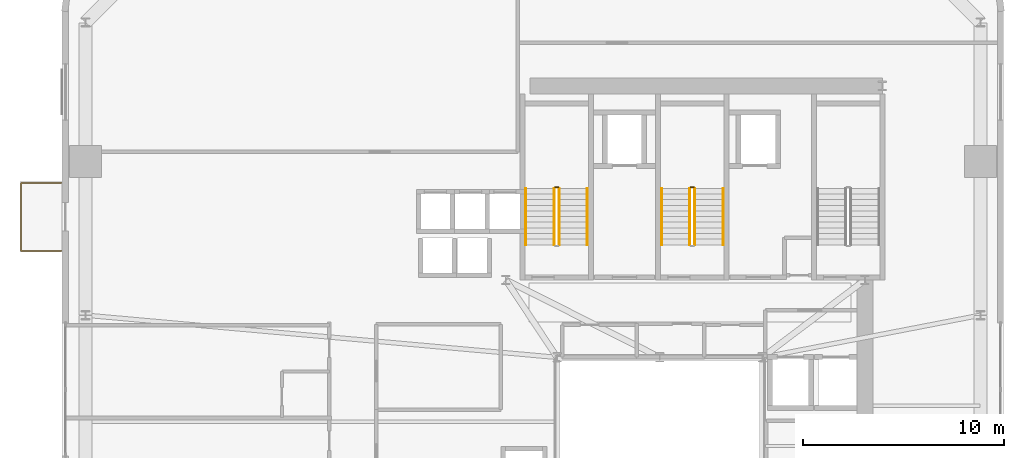
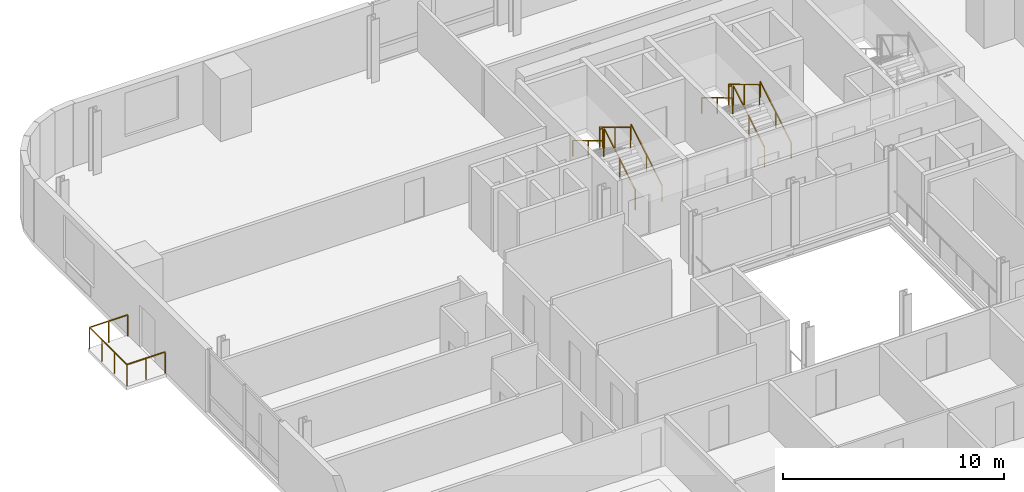
# One storey, part 13 of 14: 11 railings.
"""IFC4 building model written with IfcOpenShell, lengths in metres."""

from ifc_helpers import new_model, si_unit, direction, frame, origin, origin_2d, place, context, subcontext, project, spatial, rectangle, extrude, source, transform, mapped, material, type_object, element, save


model = new_model("IFC4")

# Units and contexts
model_context = context("Model", 3, precision=1e-05, world=origin(), true_north=direction((0.0, 1.0)))
body_context = subcontext(model_context, "Body", "Model", "MODEL_VIEW")
ifc_project = project(units=[si_unit("LENGTHUNIT", "METRE"), si_unit("AREAUNIT", "SQUARE_METRE"), si_unit("VOLUMEUNIT", "CUBIC_METRE"), si_unit("PLANEANGLEUNIT", "RADIAN"), si_unit("MASSUNIT", "GRAM", prefix="KILO")], contexts=[model_context])

# Site, building, storey
site_placement = place(None, origin())
site = spatial("IfcSite", under=ifc_project, at=site_placement, CompositionType="ELEMENT")
building_placement = place(site_placement, origin())
building = spatial("IfcBuilding", under=site, at=building_placement, Name="Vardaveli Station Tower", CompositionType="ELEMENT")
storey_placement = place(building_placement, frame((0.0, 0.0, 148.300048828125)))
storey = spatial("IfcBuildingStorey", under=building, at=storey_placement, Name="L38", CompositionType="ELEMENT", Elevation=148.300048828125)

# Railings
ifc_material_1 = material(Name="Laminated glass and stainless steel balustrade", Category="steel")
railing_type_1 = type_object("IfcRailingType", Name="RL-BAL-1200", PredefinedType="BALUSTRADE", material=ifc_material_1)
shared_shape_1 = source(origin(), body_context, "Body", "SweptSolid", [
    extrude(rectangle(XDim=0.048095703125, YDim=0.048095703125, at=origin_2d()), frame((0.0, 0.0, 1.17578125), z_axis=(-1.0, 0.0, 0.0), x_axis=(0.0, -1.0, 0.0)), (0.0, 0.0, 1.0), 2.0),
    extrude(rectangle(XDim=0.048095703125, YDim=0.048095703125, at=origin_2d()), frame((-2.0, 0.0, 1.17578125), z_axis=(0.0, 1.0, 0.0), x_axis=(-1.0, 0.0, 0.0)), (0.0, 0.0, 1.0), 3.3798828125),
    extrude(rectangle(XDim=0.048095703125, YDim=0.048095703125, at=origin_2d()), frame((-2.0, 3.3798828125, 1.17578125), z_axis=(1.0, 0.0, 0.0), x_axis=(0.0, 1.0, 0.0)), (0.0, 0.0, 1.0), 2.0),
    extrude(rectangle(XDim=0.0419921875, YDim=0.0419921875, at=origin_2d()), origin(), (0.0, 0.0, 1.0), 1.15185546875),
    extrude(rectangle(XDim=0.0419921875, YDim=0.0419921875, at=origin_2d()), frame((-1.0, 0.0, 0.0)), (0.0, 0.0, 1.0), 1.15185546875),
    extrude(rectangle(XDim=0.0419921875, YDim=0.0419921875, at=origin_2d()), frame((-2.0, 0.0, 0.0)), (0.0, 0.0, 1.0), 1.15185546875),
    extrude(rectangle(XDim=0.0419921875, YDim=0.0419921875, at=origin_2d()), frame((-2.0, 1.126708984375, 0.0)), (0.0, 0.0, 1.0), 1.15185546875),
    extrude(rectangle(XDim=0.0419921875, YDim=0.0419921875, at=origin_2d()), frame((-2.0, 2.253173828125, 0.0)), (0.0, 0.0, 1.0), 1.15185546875),
    extrude(rectangle(XDim=0.0419921875, YDim=0.0419921875, at=origin_2d()), frame((-2.0, 3.3798828125, 0.0)), (0.0, 0.0, 1.0), 1.15185546875),
    extrude(rectangle(XDim=0.0419921875, YDim=0.0419921875, at=origin_2d()), frame((-1.0, 3.3798828125, 0.0)), (0.0, 0.0, 1.0), 1.15185546875),
    extrude(rectangle(XDim=0.0419921875, YDim=0.0419921875, at=origin_2d()), frame((0.0, 3.3798828125, 0.0)), (0.0, 0.0, 1.0), 1.15185546875),
])
railing_placement = place(storey_placement, frame((6.56005859375, 32.099609375, 0.0)))
element("IfcRailing", 1, at=railing_placement, inside=storey, type_object=railing_type_1, Name="RL-LOG-L38-03", PredefinedType="BALUSTRADE", context=body_context, shape_type="MappedRepresentation", body=[
    mapped(shared_shape_1, transform((0.0, 0.0, 0.0), scale=1.0)),
])
ifc_material_2 = material(Name="Brushed AISI 316 stainless steel", Category="steel")
railing_type_2 = type_object("IfcRailingType", Name="RL-GUARD-1150", PredefinedType="GUARDRAIL", material=ifc_material_2)
shared_shape_2 = source(origin(), body_context, "Body", "SweptSolid", [
    extrude(rectangle(XDim=0.048095703125, YDim=0.048095703125, at=origin_2d()), frame((0.0, 0.0, 1.1259765625), z_axis=(-1.0, 0.0, 0.0), x_axis=(0.0, -1.0, 0.0)), (0.0, 0.0, 1.0), 0.14990234375),
    extrude(rectangle(XDim=0.0419921875, YDim=0.0419921875, at=origin_2d()), origin(), (0.0, 0.0, 1.0), 1.101806640625),
    extrude(rectangle(XDim=0.0419921875, YDim=0.0419921875, at=origin_2d()), frame((-0.14990234375, 0.0, 0.0)), (0.0, 0.0, 1.0), 1.101806640625),
])
for number, where, name in (
    (2, (31.25, 35.25, 1.849853515625), "L38 ST-1 stair guard 2"),
    (3, (38.0, 35.25, 1.849853515625), "L38 ST-2 stair guard 2"),
):
    element("IfcRailing", number, at=place(storey_placement, frame(where)), inside=storey, type_object=railing_type_2, Name=name, PredefinedType="GUARDRAIL", context=body_context, shape_type="MappedRepresentation", body=[
        mapped(shared_shape_2, transform((0.0, 0.0, 0.0), scale=1.0)),
    ])
shared_shape_3 = source(origin(), body_context, "Body", "SweptSolid", [
    extrude(rectangle(XDim=0.048095703125, YDim=0.048095703125, at=origin_2d()), frame((0.0, 0.0, 1.1259765625), z_axis=(0.0, 0.857275202839, 0.514858452973), x_axis=(-1.0, 0.0, 0.0)), (0.0, 0.0, 1.0), 3.26611328125),
    extrude(rectangle(XDim=0.0419921875, YDim=0.0419921875, at=origin_2d()), origin(), (0.0, 0.0, 1.0), 1.101806640625),
    extrude(rectangle(XDim=0.0419921875, YDim=0.0419921875, at=origin_2d()), frame((0.0, 1.39990234375, 0.8408203125)), (0.0, 0.0, 1.0), 1.101806640625),
    extrude(rectangle(XDim=0.0419921875, YDim=0.0419921875, at=origin_2d()), frame((0.0, 2.800048828125, 1.681640625)), (0.0, 0.0, 1.0), 1.101806640625),
])
for number, where, name in (
    (4, (31.300048828125, 32.39990234375, 0.168212890625), "L38 ST-1 stair guard 1"),
    (5, (38.050048828125, 32.39990234375, 0.168212890625), "L38 ST-2 stair guard 1"),
):
    element("IfcRailing", number, at=place(storey_placement, frame(where)), inside=storey, type_object=railing_type_2, Name=name, PredefinedType="GUARDRAIL", context=body_context, shape_type="MappedRepresentation", body=[
        mapped(shared_shape_3, transform((0.0, 0.0, 0.0), scale=1.0)),
    ])
shared_shape_4 = source(origin(), body_context, "Body", "SweptSolid", [
    extrude(rectangle(XDim=0.048095703125, YDim=0.048095703125, at=origin_2d()), frame((0.0, 0.0, 1.1259765625), z_axis=(0.0, -0.857242210791, 0.514913383045), x_axis=(1.0, 0.0, 0.0)), (0.0, 0.0, 1.0), 3.266357421875),
    extrude(rectangle(XDim=0.0419921875, YDim=0.0419921875, at=origin_2d()), origin(), (0.0, 0.0, 1.0), 1.101806640625),
    extrude(rectangle(XDim=0.0419921875, YDim=0.0419921875, at=origin_2d()), frame((0.0, -1.39990234375, 0.8408203125)), (0.0, 0.0, 1.0), 1.101806640625),
    extrude(rectangle(XDim=0.0419921875, YDim=0.0419921875, at=origin_2d()), frame((0.0, -2.800048828125, 1.681884765625)), (0.0, 0.0, 1.0), 1.101806640625),
])
for number, where, name in (
    (6, (31.050048828125, 35.199951171875, 2.01806640625), "L38 ST-1 stair guard 3"),
    (7, (37.800048828125, 35.199951171875, 2.01806640625), "L38 ST-2 stair guard 3"),
):
    element("IfcRailing", number, at=place(storey_placement, frame(where)), inside=storey, type_object=railing_type_2, Name=name, PredefinedType="GUARDRAIL", context=body_context, shape_type="MappedRepresentation", body=[
        mapped(shared_shape_4, transform((0.0, 0.0, 0.0), scale=1.0)),
    ])
railing_type_3 = type_object("IfcRailingType", Name="RL-HAND-900", PredefinedType="HANDRAIL", material=ifc_material_2)
shared_shape_5 = source(origin(), body_context, "Body", "SweptSolid", [
    extrude(rectangle(XDim=0.048095703125, YDim=0.048095703125, at=origin_2d()), frame((0.0, 0.0, 0.8759765625), z_axis=(0.0, 0.857275202839, 0.514858452973), x_axis=(-1.0, 0.0, 0.0)), (0.0, 0.0, 1.0), 3.26611328125),
    extrude(rectangle(XDim=0.0419921875, YDim=0.0419921875, at=origin_2d()), origin(), (0.0, 0.0, 1.0), 0.851806640625),
    extrude(rectangle(XDim=0.0419921875, YDim=0.0419921875, at=origin_2d()), frame((0.0, 1.39990234375, 0.8408203125)), (0.0, 0.0, 1.0), 0.851806640625),
    extrude(rectangle(XDim=0.0419921875, YDim=0.0419921875, at=origin_2d()), frame((0.0, 2.800048828125, 1.681640625)), (0.0, 0.0, 1.0), 0.851806640625),
])
for number, where, name in (
    (8, (32.699951171875, 32.39990234375, 0.168212890625), "L38 ST-1 stair handrail 1"),
    (9, (39.449951171875, 32.39990234375, 0.168212890625), "L38 ST-2 stair handrail 1"),
):
    element("IfcRailing", number, at=place(storey_placement, frame(where)), inside=storey, type_object=railing_type_3, Name=name, PredefinedType="HANDRAIL", context=body_context, shape_type="MappedRepresentation", body=[
        mapped(shared_shape_5, transform((0.0, 0.0, 0.0), scale=1.0)),
    ])
shared_shape_6 = source(origin(), body_context, "Body", "SweptSolid", [
    extrude(rectangle(XDim=0.048095703125, YDim=0.048095703125, at=origin_2d()), frame((0.0, 0.0, 0.8759765625), z_axis=(0.0, -0.857242210791, 0.514913383045), x_axis=(1.0, 0.0, 0.0)), (0.0, 0.0, 1.0), 3.266357421875),
    extrude(rectangle(XDim=0.0419921875, YDim=0.0419921875, at=origin_2d()), origin(), (0.0, 0.0, 1.0), 0.851806640625),
    extrude(rectangle(XDim=0.0419921875, YDim=0.0419921875, at=origin_2d()), frame((0.0, -1.39990234375, 0.8408203125)), (0.0, 0.0, 1.0), 0.851806640625),
    extrude(rectangle(XDim=0.0419921875, YDim=0.0419921875, at=origin_2d()), frame((0.0, -2.800048828125, 1.681884765625)), (0.0, 0.0, 1.0), 0.851806640625),
])
for number, where, name in (
    (10, (29.64990234375, 35.199951171875, 2.01806640625), "L38 ST-1 stair handrail 2"),
    (11, (36.39990234375, 35.199951171875, 2.01806640625), "L38 ST-2 stair handrail 2"),
):
    element("IfcRailing", number, at=place(storey_placement, frame(where)), inside=storey, type_object=railing_type_3, Name=name, PredefinedType="HANDRAIL", context=body_context, shape_type="MappedRepresentation", body=[
        mapped(shared_shape_6, transform((0.0, 0.0, 0.0), scale=1.0)),
    ])

save(model, "model.ifc")
